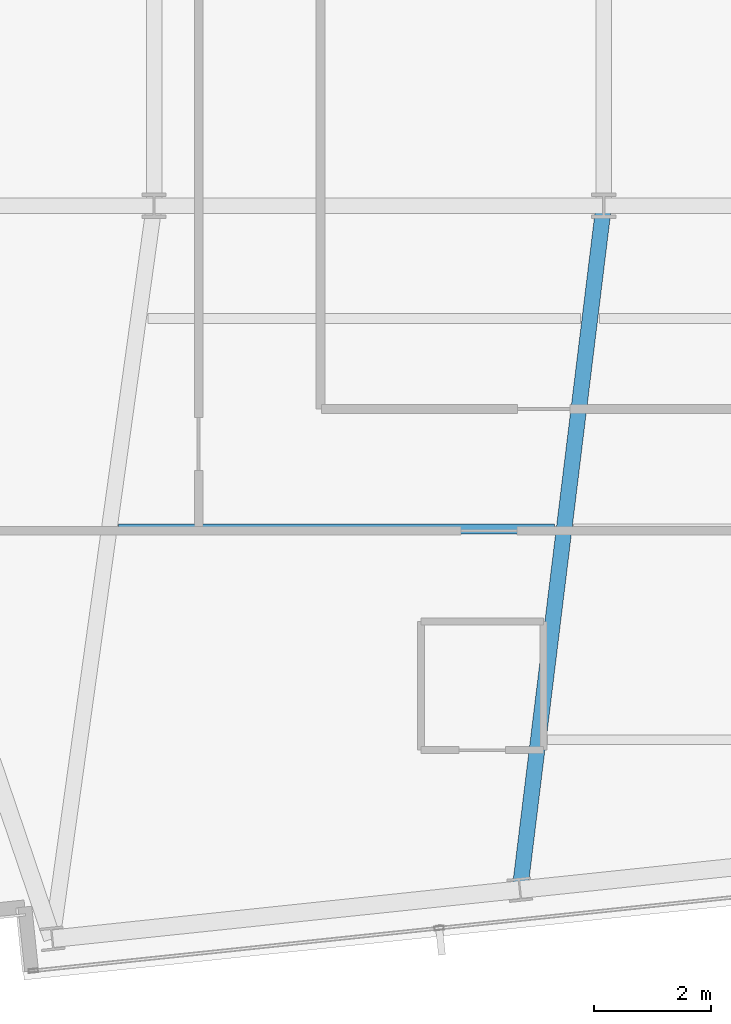
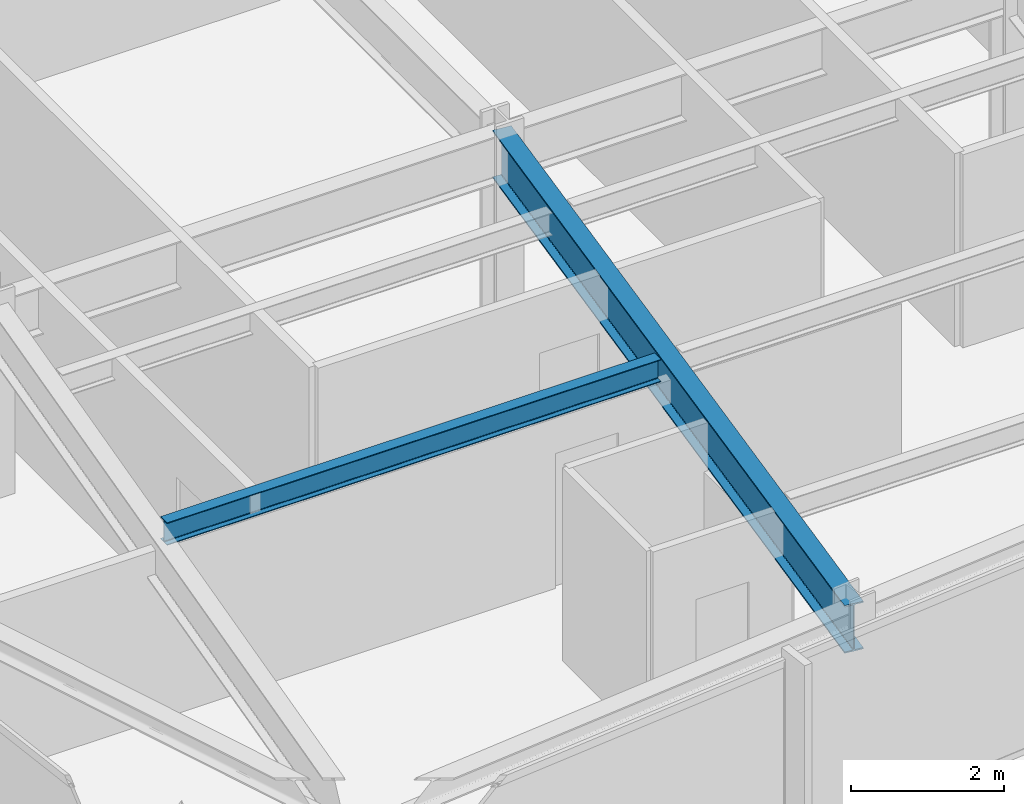
# One storey, part 4 of 32: 2 beams.
"""IFC4 building model written with IfcOpenShell, lengths in metres."""

import ifcopenshell
import ifcopenshell.guid

model = None  # the IFC model being written
_history = None  # IfcOwnerHistory: only IFC2X3 demands one
_inside = {}  # id of a spatial element -> (the spatial element, [elements in it])
_under = {}  # id of a project, library or spatial element -> (it, [spatial elements below it])
_declared = {}  # id of a project -> (the project, [libraries it declares])
_typed = {}  # id of a type object -> (the type object, [elements of that type])
_made_of = {}  # id of a material, layer set ... -> (it, [elements and type objects made of it])


def new_model(schema):
    """Start an empty IFC model of exactly this schema.

    Asked for "IFC4X3", IfcOpenShell would pick the latest addendum, in which some entities
    have other attributes; the version numbers below select the first issue.
    IFC2X3 requires an IfcOwnerHistory on every rooted entity: one is made here for all.
    """
    global model, _history
    if schema == "IFC4X3":
        model = ifcopenshell.file(schema_version=(4, 3, 0, 0))
    else:
        model = ifcopenshell.file(schema=schema)
    _inside.clear()
    _under.clear()
    _declared.clear()
    _typed.clear()
    _made_of.clear()
    _history = None
    if model.schema == "IFC2X3":
        org = make("IfcOrganization", Name="unknown")
        user = make(
            "IfcPersonAndOrganization",
            ThePerson=make("IfcPerson", FamilyName="unknown"),
            TheOrganization=org,
        )
        app = make(
            "IfcApplication",
            ApplicationDeveloper=org,
            Version="unknown",
            ApplicationFullName="unknown",
            ApplicationIdentifier="unknown",
        )
        _history = make(
            "IfcOwnerHistory",
            OwningUser=user,
            OwningApplication=app,
            ChangeAction="ADDED",
            CreationDate=0,
        )
    return model


def make(cls, **values):
    """One entity of the class cls with the attributes given. An attribute that is None is left unset."""
    return model.create_entity(
        cls, **{name: value for name, value in values.items() if value is not None}
    )


def rooted(cls, **values):
    """An entity with a GlobalId (a new one), such as an element, a storey or a relation."""
    return make(cls, GlobalId=ifcopenshell.guid.new(), OwnerHistory=_history, **values)


def si_unit(unit_type, name, prefix=None):
    """IfcSIUnit, for example si_unit("LENGTHUNIT", "METRE", prefix="MILLI")."""
    return make("IfcSIUnit", UnitType=unit_type, Prefix=prefix, Name=name)


def assignment(units):
    """IfcUnitAssignment: the units of a project."""
    return None if units is None else make("IfcUnitAssignment", Units=units)


def point(xyz):
    """IfcCartesianPoint."""
    return None if xyz is None else make("IfcCartesianPoint", Coordinates=xyz)


def direction(xyz):
    """IfcDirection."""
    return None if xyz is None else make("IfcDirection", DirectionRatios=xyz)


def frame(location, z_axis=None, x_axis=None):
    """IfcAxis2Placement3D, a coordinate frame: its origin and axes. An axis left out is left unset."""
    return make(
        "IfcAxis2Placement3D",
        Location=point(location),
        Axis=direction(z_axis),
        RefDirection=direction(x_axis),
    )


def frame_2d(location, x_axis=None):
    """IfcAxis2Placement2D, a coordinate frame in the plane: its origin and x axis."""
    return make(
        "IfcAxis2Placement2D", Location=point(location), RefDirection=direction(x_axis)
    )


def origin():
    """The frame at (0, 0, 0) with its axes left unset."""
    return frame((0.0, 0.0, 0.0))


def origin_2d():
    """The frame at (0, 0) in the plane with its x axis left unset."""
    return frame_2d((0.0, 0.0))


def place(relative_to, where):
    """IfcLocalPlacement: puts the frame where relative to a parent placement (None: the world)."""
    return make(
        "IfcLocalPlacement", PlacementRelTo=relative_to, RelativePlacement=where
    )


def context(
    kind, dimensions, precision=None, world=None, true_north=None, identifier=None
):
    """IfcGeometricRepresentationContext, for example the 3D "Model" context."""
    return make(
        "IfcGeometricRepresentationContext",
        ContextIdentifier=identifier,
        ContextType=kind,
        CoordinateSpaceDimension=dimensions,
        Precision=precision,
        WorldCoordinateSystem=world,
        TrueNorth=true_north,
    )


def subcontext(parent, identifier, kind, view, scale=None):
    """IfcGeometricRepresentationSubContext, for example "Body" below "Model"."""
    return make(
        "IfcGeometricRepresentationSubContext",
        ContextIdentifier=identifier,
        ContextType=kind,
        ParentContext=parent,
        TargetScale=scale,
        TargetView=view,
    )


def project(units=None, contexts=None):
    """IfcProject with its units and contexts."""
    return rooted(
        "IfcProject",
        Name="project",
        RepresentationContexts=contexts,
        UnitsInContext=assignment(units),
    )


def spatial(cls, under=None, at=None, **own):
    """A site, building, storey or space (cls), placed at a placement, below another one or the project."""
    s = rooted(cls, ObjectPlacement=at, **own)
    if under is not None:
        _under.setdefault(under.id(), (under, []))[1].append(s)
    return s


def profile(cls, at=None, kind="AREA", **sizes):
    """A parametric profile (cls). Its sizes go by their IFC names, for example OverallWidth=200.0."""
    return make(cls, ProfileType=kind, Position=at, **sizes)


def i_section(**sizes):
    """IfcIShapeProfileDef."""
    return profile("IfcIShapeProfileDef", **sizes)


def extrude(swept, where, along, depth):
    """IfcExtrudedAreaSolid: the profile swept, set in the frame where, extruded along a direction by depth."""
    return make(
        "IfcExtrudedAreaSolid",
        SweptArea=swept,
        Position=where,
        ExtrudedDirection=direction(along),
        Depth=depth,
    )


def shape(context_of_items, identifier, shape_type, items):
    """IfcShapeRepresentation: the items that make up one representation, for example the "Body"."""
    return make(
        "IfcShapeRepresentation",
        ContextOfItems=context_of_items,
        RepresentationIdentifier=identifier,
        RepresentationType=shape_type,
        Items=items,
    )


def material(Name=None, Category=None):
    """IfcMaterial."""
    return make("IfcMaterial", Name=Name, Category=Category)


def material_profile(
    of_material, cross_section, Name=None, Category=None, Priority=None
):
    """IfcMaterialProfile: a cross section and its material."""
    return make(
        "IfcMaterialProfile",
        Name=Name,
        Material=of_material,
        Profile=cross_section,
        Priority=Priority,
        Category=Category,
    )


def profile_set(profiles, Name=None, composite=None):
    """IfcMaterialProfileSet."""
    return make(
        "IfcMaterialProfileSet",
        Name=Name,
        MaterialProfiles=profiles,
        CompositeProfile=composite,
    )


def made_of(thing, what):
    """Note that an element or type object is made of a material, layer set ...; save() writes the relation."""
    if what is not None:
        _made_of.setdefault(what.id(), (what, []))[1].append(thing)
    return thing


def type_object(cls, material=None, **own):
    """A type object (cls), such as IfcWallType, which elements share."""
    return made_of(rooted(cls, **own), material)


def element(
    cls,
    number,
    at=None,
    inside=None,
    cuts=None,
    type_object=None,
    material=None,
    context=None,
    identifier="Body",
    shape_type=None,
    held_by="IfcProductDefinitionShape",
    body=None,
    shapes=None,
    **own,
):
    """One element of the class cls, such as IfcWall. Its Tag is "e" and its number.

    at: its placement. inside: the storey or other place that contains it. cuts: it is an
    opening in that element (IfcRelVoidsElement). A single representation is given by context,
    identifier, shape_type and body (its items); several are given by shapes. held_by: the class
    of the entity that holds the representations. save() writes the other relations.
    """
    e = rooted(cls, Tag="e%d" % number, ObjectPlacement=at, **own)
    if body is not None:
        shapes = [shape(context, identifier, shape_type, body)]
    if shapes is not None:
        e.Representation = make(held_by, Representations=shapes)
    if inside is not None:
        _inside.setdefault(inside.id(), (inside, []))[1].append(e)
    if cuts is not None:
        rooted(
            "IfcRelVoidsElement", RelatingBuildingElement=cuts, RelatedOpeningElement=e
        )
    if type_object is not None:
        _typed.setdefault(type_object.id(), (type_object, []))[1].append(e)
    return made_of(e, material)


def aggregate(whole, parts):
    """IfcRelAggregates: a whole, such as a stair, and the parts it consists of."""
    return rooted("IfcRelAggregates", RelatingObject=whole, RelatedObjects=parts)


def save(model, path):
    """Write the relations noted so far, then the file.

    IfcRelAggregates (storeys below a building ...), IfcRelContainedInSpatialStructure (elements
    in a storey), IfcRelDefinesByType, IfcRelAssociatesMaterial and IfcRelDeclares: one each for
    every whole, place, type object, material and project.
    """
    for whole, parts in _under.values():
        aggregate(whole, parts)
    for where, things in _inside.values():
        rooted(
            "IfcRelContainedInSpatialStructure",
            RelatedElements=things,
            RelatingStructure=where,
        )
    for kind, things in _typed.values():
        rooted("IfcRelDefinesByType", RelatedObjects=things, RelatingType=kind)
    for what, things in _made_of.values():
        rooted("IfcRelAssociatesMaterial", RelatedObjects=things, RelatingMaterial=what)
    for by, libraries in _declared.values():
        rooted("IfcRelDeclares", RelatingContext=by, RelatedDefinitions=libraries)
    model.write(path)


model = new_model("IFC4")

# Units and contexts
model_context = context("Model", 3, precision=1e-05, world=origin(), true_north=direction((0.0, 1.0)))
body_context = subcontext(model_context, "Body", "Model", "MODEL_VIEW")
ifc_project = project(units=[si_unit("LENGTHUNIT", "METRE"), si_unit("AREAUNIT", "SQUARE_METRE"), si_unit("VOLUMEUNIT", "CUBIC_METRE"), si_unit("PLANEANGLEUNIT", "RADIAN"), si_unit("MASSUNIT", "GRAM", prefix="KILO")], contexts=[model_context])

# Site, building, storey
site_placement = place(None, origin())
site = spatial("IfcSite", under=ifc_project, at=site_placement, CompositionType="ELEMENT")
building_placement = place(site_placement, origin())
building = spatial("IfcBuilding", under=site, at=building_placement, Name="Yelkora Congress Tower", CompositionType="ELEMENT")
storey_placement = place(building_placement, frame((0.0, 0.0, 217.699951171875)))
storey = spatial("IfcBuildingStorey", under=building, at=storey_placement, Name="L60", CompositionType="ELEMENT", Elevation=217.699951171875)

# Beams
ifc_material = material(Name="Steel S355J2", Category="steel")
ifc_material_profile_1 = material_profile(ifc_material, i_section(OverallWidth=0.26708984375, OverallDepth=0.761962890625, WebThickness=0.014404296875, FlangeThickness=0.021484375, FilletRadius=0.01708984375, at=origin_2d()), Name="IPE 750x173")
ifc_profile_set_1 = profile_set([ifc_material_profile_1], Name="Steel S355J2")
beam_type_1 = type_object("IfcBeamType", Name="BM-GIRD-IPE750", PredefinedType="BEAM", material=ifc_profile_set_1)
beam_1_placement = place(storey_placement, frame((29.288330078125, 13.518310546875, 2.698974609375), z_axis=(0.121644630436, 0.992573717104, 0.0), x_axis=(-0.992573717104, 0.121644630436, 0.0)))
element("IfcBeam", 1, at=beam_1_placement, inside=storey, type_object=beam_type_1, Name="L60 Primary Frame Girder S02", PredefinedType="BEAM", context=body_context, shape_type="SweptSolid", body=[
    extrude(i_section(OverallWidth=0.26708984375, OverallDepth=0.761962890625, WebThickness=0.014404296875, FlangeThickness=0.021484375, FilletRadius=0.01708984375, at=origin_2d()), origin(), (0.0, 0.0, 1.0), 11.76904296875),
])
ifc_material_profile_2 = material_profile(ifc_material, i_section(OverallWidth=0.169921875, OverallDepth=0.360107421875, WebThickness=0.008056640625, FlangeThickness=0.0126953125, FilletRadius=0.01806640625, at=origin_2d()), Name="IPE 360")
ifc_profile_set_2 = profile_set([ifc_material_profile_2], Name="Steel S355J2")
beam_type_2 = type_object("IfcBeamType", Name="BM-JOIST-IPE360", PredefinedType="JOIST", material=ifc_profile_set_2)
beam_2_placement = place(storey_placement, frame((22.432373046875, 19.678466796875, 2.900146484375), z_axis=(1.0, 0.0, 0.0), x_axis=(0.0, 1.0, 0.0)))
element("IfcBeam", 2, at=beam_2_placement, inside=storey, type_object=beam_type_2, Name="L60 Composite Floor Joist 3", PredefinedType="JOIST", context=body_context, shape_type="SweptSolid", body=[
    extrude(i_section(OverallWidth=0.169921875, OverallDepth=0.360107421875, WebThickness=0.008056640625, FlangeThickness=0.0126953125, FilletRadius=0.01806640625, at=origin_2d()), origin(), (0.0, 0.0, 1.0), 7.450927734375),
])

save(model, "model.ifc")
